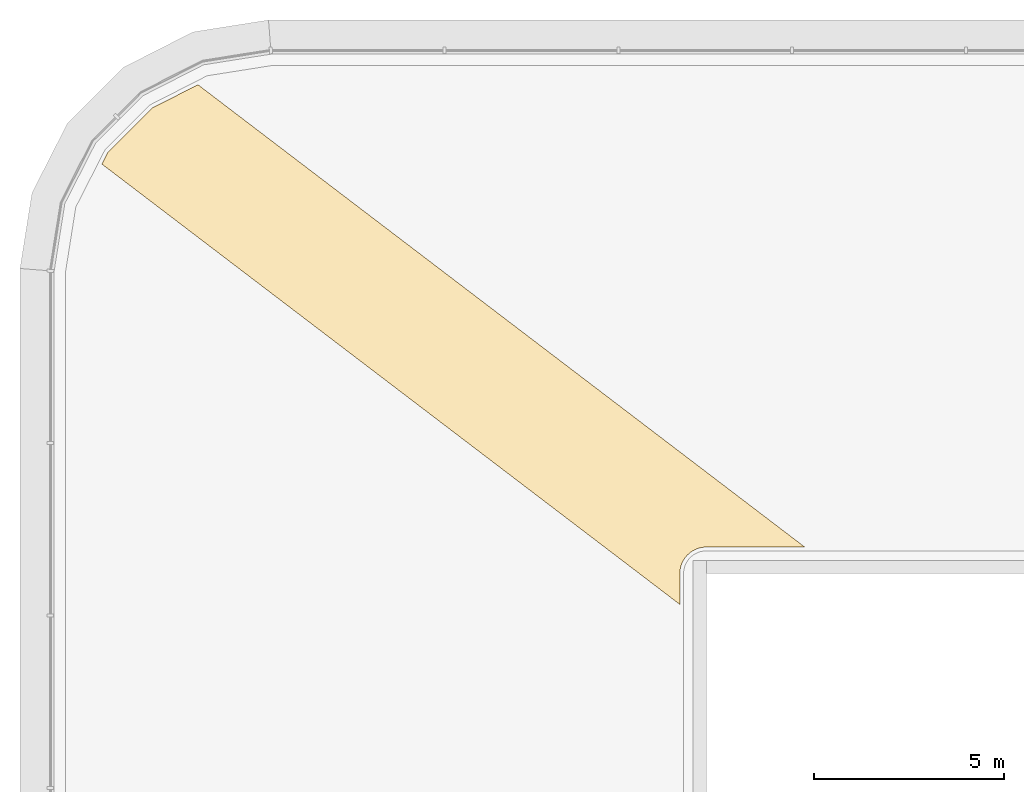
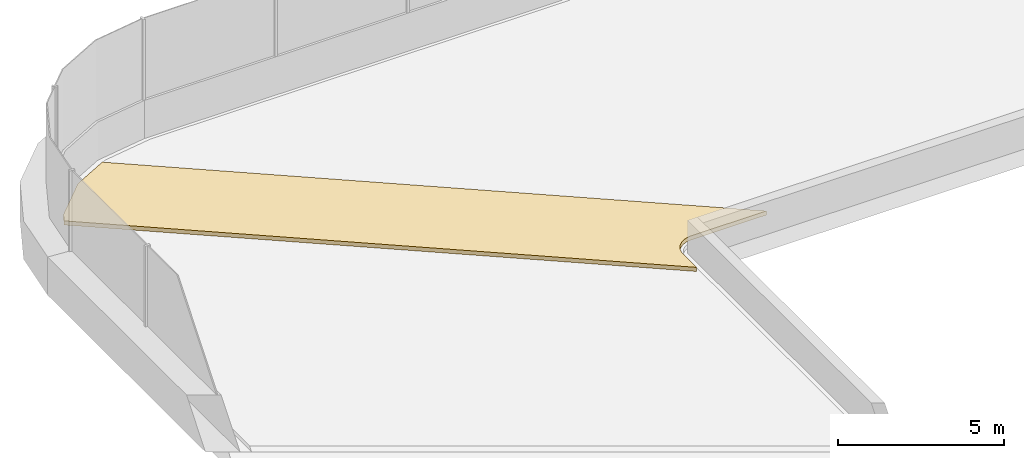
# One storey, part 35 of 37: 1 covering.
"""IFC4 building model written with IfcOpenShell, lengths in metres."""

import ifcopenshell
import ifcopenshell.guid

model = None  # the IFC model being written
_history = None  # IfcOwnerHistory: only IFC2X3 demands one
_inside = {}  # id of a spatial element -> (the spatial element, [elements in it])
_under = {}  # id of a project, library or spatial element -> (it, [spatial elements below it])
_declared = {}  # id of a project -> (the project, [libraries it declares])
_typed = {}  # id of a type object -> (the type object, [elements of that type])
_made_of = {}  # id of a material, layer set ... -> (it, [elements and type objects made of it])


def new_model(schema):
    """Start an empty IFC model of exactly this schema.

    Asked for "IFC4X3", IfcOpenShell would pick the latest addendum, in which some entities
    have other attributes; the version numbers below select the first issue.
    IFC2X3 requires an IfcOwnerHistory on every rooted entity: one is made here for all.
    """
    global model, _history
    if schema == "IFC4X3":
        model = ifcopenshell.file(schema_version=(4, 3, 0, 0))
    else:
        model = ifcopenshell.file(schema=schema)
    _inside.clear()
    _under.clear()
    _declared.clear()
    _typed.clear()
    _made_of.clear()
    _history = None
    if model.schema == "IFC2X3":
        org = make("IfcOrganization", Name="unknown")
        user = make(
            "IfcPersonAndOrganization",
            ThePerson=make("IfcPerson", FamilyName="unknown"),
            TheOrganization=org,
        )
        app = make(
            "IfcApplication",
            ApplicationDeveloper=org,
            Version="unknown",
            ApplicationFullName="unknown",
            ApplicationIdentifier="unknown",
        )
        _history = make(
            "IfcOwnerHistory",
            OwningUser=user,
            OwningApplication=app,
            ChangeAction="ADDED",
            CreationDate=0,
        )
    return model


def make(cls, **values):
    """One entity of the class cls with the attributes given. An attribute that is None is left unset."""
    return model.create_entity(
        cls, **{name: value for name, value in values.items() if value is not None}
    )


def rooted(cls, **values):
    """An entity with a GlobalId (a new one), such as an element, a storey or a relation."""
    return make(cls, GlobalId=ifcopenshell.guid.new(), OwnerHistory=_history, **values)


def si_unit(unit_type, name, prefix=None):
    """IfcSIUnit, for example si_unit("LENGTHUNIT", "METRE", prefix="MILLI")."""
    return make("IfcSIUnit", UnitType=unit_type, Prefix=prefix, Name=name)


def assignment(units):
    """IfcUnitAssignment: the units of a project."""
    return None if units is None else make("IfcUnitAssignment", Units=units)


def point(xyz):
    """IfcCartesianPoint."""
    return None if xyz is None else make("IfcCartesianPoint", Coordinates=xyz)


def direction(xyz):
    """IfcDirection."""
    return None if xyz is None else make("IfcDirection", DirectionRatios=xyz)


def frame(location, z_axis=None, x_axis=None):
    """IfcAxis2Placement3D, a coordinate frame: its origin and axes. An axis left out is left unset."""
    return make(
        "IfcAxis2Placement3D",
        Location=point(location),
        Axis=direction(z_axis),
        RefDirection=direction(x_axis),
    )


def origin():
    """The frame at (0, 0, 0) with its axes left unset."""
    return frame((0.0, 0.0, 0.0))


def place(relative_to, where):
    """IfcLocalPlacement: puts the frame where relative to a parent placement (None: the world)."""
    return make(
        "IfcLocalPlacement", PlacementRelTo=relative_to, RelativePlacement=where
    )


def context(
    kind, dimensions, precision=None, world=None, true_north=None, identifier=None
):
    """IfcGeometricRepresentationContext, for example the 3D "Model" context."""
    return make(
        "IfcGeometricRepresentationContext",
        ContextIdentifier=identifier,
        ContextType=kind,
        CoordinateSpaceDimension=dimensions,
        Precision=precision,
        WorldCoordinateSystem=world,
        TrueNorth=true_north,
    )


def subcontext(parent, identifier, kind, view, scale=None):
    """IfcGeometricRepresentationSubContext, for example "Body" below "Model"."""
    return make(
        "IfcGeometricRepresentationSubContext",
        ContextIdentifier=identifier,
        ContextType=kind,
        ParentContext=parent,
        TargetScale=scale,
        TargetView=view,
    )


def project(units=None, contexts=None):
    """IfcProject with its units and contexts."""
    return rooted(
        "IfcProject",
        Name="project",
        RepresentationContexts=contexts,
        UnitsInContext=assignment(units),
    )


def spatial(cls, under=None, at=None, **own):
    """A site, building, storey or space (cls), placed at a placement, below another one or the project."""
    s = rooted(cls, ObjectPlacement=at, **own)
    if under is not None:
        _under.setdefault(under.id(), (under, []))[1].append(s)
    return s


def polyline(points):
    """IfcPolyline through the points."""
    return make("IfcPolyline", Points=[point(p) for p in points])


def outline(outer, holes=None, kind="AREA"):
    """IfcArbitraryClosedProfileDef: a profile drawn as a closed curve; with holes, ...WithVoids."""
    if holes is None:
        return make("IfcArbitraryClosedProfileDef", ProfileType=kind, OuterCurve=outer)
    return make(
        "IfcArbitraryProfileDefWithVoids",
        ProfileType=kind,
        OuterCurve=outer,
        InnerCurves=holes,
    )


def extrude(swept, where, along, depth):
    """IfcExtrudedAreaSolid: the profile swept, set in the frame where, extruded along a direction by depth."""
    return make(
        "IfcExtrudedAreaSolid",
        SweptArea=swept,
        Position=where,
        ExtrudedDirection=direction(along),
        Depth=depth,
    )


def shape(context_of_items, identifier, shape_type, items):
    """IfcShapeRepresentation: the items that make up one representation, for example the "Body"."""
    return make(
        "IfcShapeRepresentation",
        ContextOfItems=context_of_items,
        RepresentationIdentifier=identifier,
        RepresentationType=shape_type,
        Items=items,
    )


def material(Name=None, Category=None):
    """IfcMaterial."""
    return make("IfcMaterial", Name=Name, Category=Category)


def layer(
    of_material, thickness, ventilated=None, Name=None, Category=None, Priority=None
):
    """IfcMaterialLayer: one layer of a wall or slab, of a material (None: an air gap)."""
    return make(
        "IfcMaterialLayer",
        Material=of_material,
        LayerThickness=thickness,
        IsVentilated=ventilated,
        Name=Name,
        Category=Category,
        Priority=Priority,
    )


def layer_set(layers, Name=None):
    """IfcMaterialLayerSet."""
    return make("IfcMaterialLayerSet", MaterialLayers=layers, LayerSetName=Name)


def made_of(thing, what):
    """Note that an element or type object is made of a material, layer set ...; save() writes the relation."""
    if what is not None:
        _made_of.setdefault(what.id(), (what, []))[1].append(thing)
    return thing


def type_object(cls, material=None, **own):
    """A type object (cls), such as IfcWallType, which elements share."""
    return made_of(rooted(cls, **own), material)


def element(
    cls,
    number,
    at=None,
    inside=None,
    cuts=None,
    type_object=None,
    material=None,
    context=None,
    identifier="Body",
    shape_type=None,
    held_by="IfcProductDefinitionShape",
    body=None,
    shapes=None,
    **own,
):
    """One element of the class cls, such as IfcWall. Its Tag is "e" and its number.

    at: its placement. inside: the storey or other place that contains it. cuts: it is an
    opening in that element (IfcRelVoidsElement). A single representation is given by context,
    identifier, shape_type and body (its items); several are given by shapes. held_by: the class
    of the entity that holds the representations. save() writes the other relations.
    """
    e = rooted(cls, Tag="e%d" % number, ObjectPlacement=at, **own)
    if body is not None:
        shapes = [shape(context, identifier, shape_type, body)]
    if shapes is not None:
        e.Representation = make(held_by, Representations=shapes)
    if inside is not None:
        _inside.setdefault(inside.id(), (inside, []))[1].append(e)
    if cuts is not None:
        rooted(
            "IfcRelVoidsElement", RelatingBuildingElement=cuts, RelatedOpeningElement=e
        )
    if type_object is not None:
        _typed.setdefault(type_object.id(), (type_object, []))[1].append(e)
    return made_of(e, material)


def aggregate(whole, parts):
    """IfcRelAggregates: a whole, such as a stair, and the parts it consists of."""
    return rooted("IfcRelAggregates", RelatingObject=whole, RelatedObjects=parts)


def save(model, path):
    """Write the relations noted so far, then the file.

    IfcRelAggregates (storeys below a building ...), IfcRelContainedInSpatialStructure (elements
    in a storey), IfcRelDefinesByType, IfcRelAssociatesMaterial and IfcRelDeclares: one each for
    every whole, place, type object, material and project.
    """
    for whole, parts in _under.values():
        aggregate(whole, parts)
    for where, things in _inside.values():
        rooted(
            "IfcRelContainedInSpatialStructure",
            RelatedElements=things,
            RelatingStructure=where,
        )
    for kind, things in _typed.values():
        rooted("IfcRelDefinesByType", RelatedObjects=things, RelatingType=kind)
    for what, things in _made_of.values():
        rooted("IfcRelAssociatesMaterial", RelatedObjects=things, RelatingMaterial=what)
    for by, libraries in _declared.values():
        rooted("IfcRelDeclares", RelatingContext=by, RelatedDefinitions=libraries)
    model.write(path)


model = new_model("IFC4")

# Units and contexts
model_context = context("Model", 3, precision=1e-05, world=origin(), true_north=direction((0.0, 1.0)))
body_context = subcontext(model_context, "Body", "Model", "MODEL_VIEW")
ifc_project = project(units=[si_unit("LENGTHUNIT", "METRE"), si_unit("AREAUNIT", "SQUARE_METRE"), si_unit("VOLUMEUNIT", "CUBIC_METRE"), si_unit("PLANEANGLEUNIT", "RADIAN"), si_unit("MASSUNIT", "GRAM", prefix="KILO")], contexts=[model_context])

# Site, building, storey
site_placement = place(None, origin())
site = spatial("IfcSite", under=ifc_project, at=site_placement, CompositionType="ELEMENT")
building_placement = place(site_placement, origin())
building = spatial("IfcBuilding", under=site, at=building_placement, Name="Tamarind Cross Interchange Tower", CompositionType="ELEMENT")
storey_placement = place(building_placement, frame((0.0, 0.0, 29.5)))
storey = spatial("IfcBuildingStorey", under=building, at=storey_placement, Name="L05", CompositionType="ELEMENT", Elevation=29.5)

# Covering
ifc_material = material(Name="Terracotta paving", Category="masonry")
ifc_layer = layer(ifc_material, 0.14990234375)
ifc_layer_set = layer_set([ifc_layer], Name="Terracotta paving")
covering_type = type_object("IfcCoveringType", Name="Roof terrace paving", PredefinedType="FLOORING", material=ifc_layer_set)
covering_placement = place(storey_placement, frame((0.0, 0.0, 0.14990234375)))
element("IfcCovering", 1, at=covering_placement, inside=storey, type_object=covering_type, Name="PAVR-L05-04", PredefinedType="FLOORING", context=body_context, shape_type="SweptSolid", body=[
    extrude(outline(polyline([(-59.28076171875, 53.110107421875), (-59.439208984375, 52.79931640625), (-44.199951171875, 41.1884765625), (-44.199951171875, 42.0), (-44.199951171875, 42.0048828125), (-44.197021484375, 42.063720703125), (-44.196044921875, 42.073486328125), (-44.1875, 42.131591796875), (-44.185546875, 42.141357421875), (-44.171142578125, 42.198486328125), (-44.168212890625, 42.2080078125), (-44.1484375, 42.26318359375), (-44.144775390625, 42.2724609375), (-44.11962890625, 42.32568359375), (-44.114990234375, 42.334228515625), (-44.084716796875, 42.384765625), (-44.0791015625, 42.392822265625), (-44.044189453125, 42.440185546875), (-44.037841796875, 42.44775390625), (-43.998291015625, 42.491455078125), (-43.991455078125, 42.498291015625), (-43.94775390625, 42.537841796875), (-43.940185546875, 42.544189453125), (-43.892822265625, 42.5791015625), (-43.884765625, 42.584716796875), (-43.834228515625, 42.614990234375), (-43.82568359375, 42.61962890625), (-43.7724609375, 42.644775390625), (-43.76318359375, 42.6484375), (-43.7080078125, 42.668212890625), (-43.698486328125, 42.671142578125), (-43.641357421875, 42.685546875), (-43.631591796875, 42.6875), (-43.573486328125, 42.696044921875), (-43.563720703125, 42.697021484375), (-43.5048828125, 42.699951171875), (-43.5, 42.699951171875), (-40.90380859375, 42.699951171875), (-56.90771484375, 54.893310546875), (-58.110107421875, 54.28076171875), (-59.28076171875, 53.110107421875)])), origin(), (0.0, 0.0, 1.0), 0.150146484375),
])

save(model, "model.ifc")
